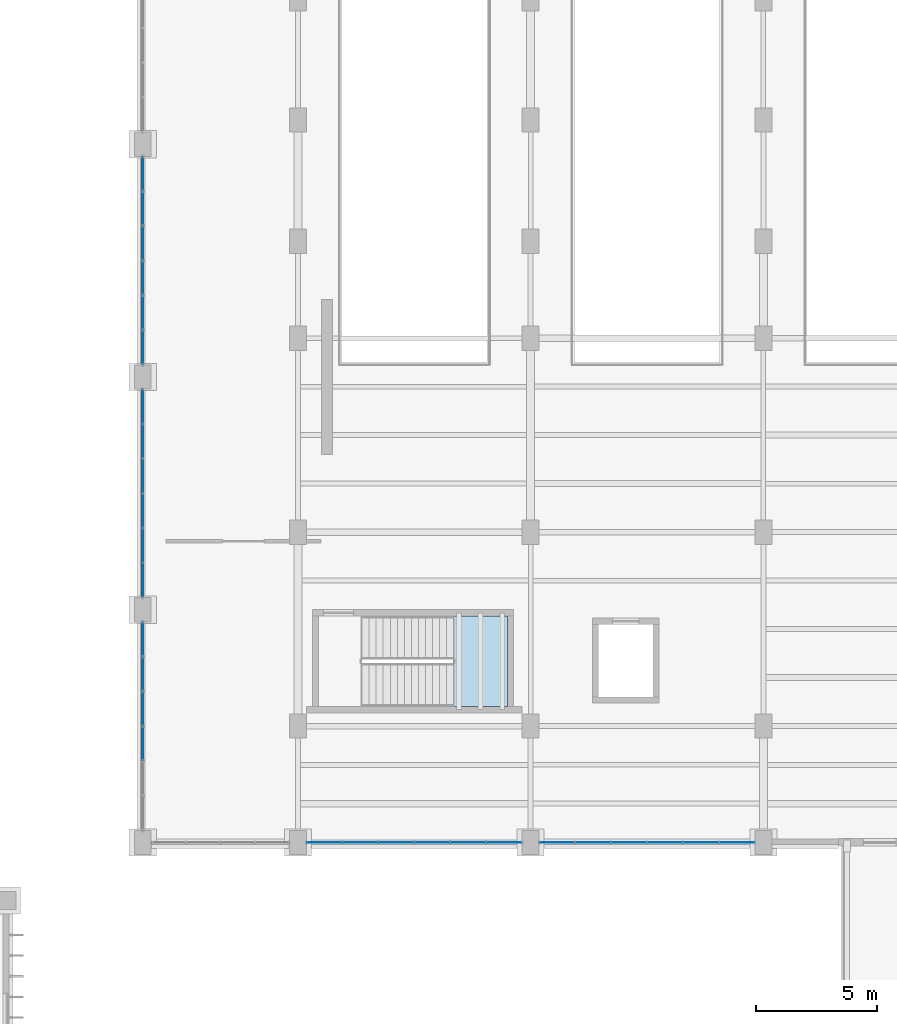
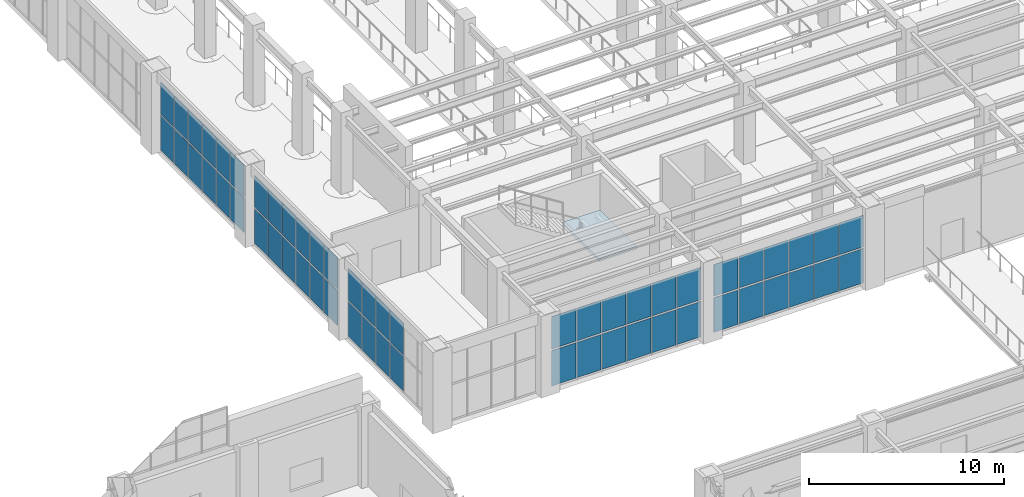
# One storey, part 129 of 174: 56 plates, 1 slab, 6 elements without a shape of their own.
"""IFC4 building model written with IfcOpenShell, lengths in metres."""

from ifc_helpers import new_model, si_unit, direction, frame, origin, origin_2d, place, context, subcontext, project, spatial, polyline, rectangle, outline, extrude, material, layer, layer_set, type_object, element, aggregate, save


model = new_model("IFC4")

# Units and contexts
model_context = context("Model", 3, precision=1e-05, world=origin(), true_north=direction((0.0, 1.0)))
body_context = subcontext(model_context, "Body", "Model", "MODEL_VIEW")
ifc_project = project(units=[si_unit("LENGTHUNIT", "METRE"), si_unit("AREAUNIT", "SQUARE_METRE"), si_unit("VOLUMEUNIT", "CUBIC_METRE"), si_unit("PLANEANGLEUNIT", "RADIAN"), si_unit("MASSUNIT", "GRAM", prefix="KILO")], contexts=[model_context])

# Site, building, storey
site_placement = place(None, origin())
site = spatial("IfcSite", under=ifc_project, at=site_placement, CompositionType="ELEMENT")
building_placement = place(site_placement, origin())
building = spatial("IfcBuilding", under=site, at=building_placement, Name="Mavantir Sound Aquarium", CompositionType="ELEMENT")
storey_placement = place(building_placement, frame((0.0, 0.0, 5.39990234375)))
storey = spatial("IfcBuildingStorey", under=building, at=storey_placement, Name="L01", CompositionType="ELEMENT", Elevation=5.39990234375)

# Curtain wall, plates
ifc_material_1 = material(Name="Anodised Marine Aluminium and Low-E Glass", Category="aluminium")
curtain_wall_type_1 = type_object("IfcCurtainWallType", Name="CW-T23", PredefinedType="USERDEFINED", material=ifc_material_1)
curtain_wall_1_placement = place(storey_placement, origin())
curtain_wall_1 = element("IfcCurtainWall", 1, at=curtain_wall_1_placement, inside=storey, type_object=curtain_wall_type_1, Name="L01 unitised curtain wall CW-23 95", ObjectType="UNITISED GLAZING", PredefinedType="USERDEFINED")
ifc_material_2 = material(Name="Solar-Control Laminated Low-E Glass", Category="glass")
ifc_layer_1 = layer(ifc_material_2, 0.028076171875, Name="Solar-Control Laminated Low-E Glass")
ifc_layer_set_1 = layer_set([ifc_layer_1], Name="Solar-Control Laminated Low-E Glass")
plate_type_1 = type_object("IfcPlateType", Name="CW-PNL-28", PredefinedType="CURTAIN_PANEL", material=ifc_layer_set_1)
plate_1_placement = place(storey_placement, frame((101.60009765625, 53.976806640625, 0.10302734375), z_axis=(0.0, 0.0, 1.0), x_axis=(0.0, -1.0, 0.0)))
plate_1 = element("IfcPlate", 2, at=plate_1_placement, type_object=plate_type_1, Name="CW-L01-095 glazed curtain panel 1.1", PredefinedType="CURTAIN_PANEL", context=body_context, shape_type="SweptSolid", body=[
    extrude(rectangle(XDim=1.3828125, YDim=0.028076171875, at=origin_2d()), origin(), (0.0, 0.0, 1.0), 2.160888671875),
])
plate_2_placement = place(storey_placement, frame((101.60009765625, 53.976806640625, 2.35986328125), z_axis=(0.0, 0.0, 1.0), x_axis=(0.0, -1.0, 0.0)))
plate_2 = element("IfcPlate", 3, at=plate_2_placement, type_object=plate_type_1, Name="CW-L01-095 glazed curtain panel 1.2", PredefinedType="CURTAIN_PANEL", context=body_context, shape_type="SweptSolid", body=[
    extrude(rectangle(XDim=1.3828125, YDim=0.028076171875, at=origin_2d()), origin(), (0.0, 0.0, 1.0), 1.983154296875),
])
plate_3_placement = place(storey_placement, frame((101.60009765625, 52.5458984375, 0.10302734375), z_axis=(0.0, 0.0, 1.0), x_axis=(0.0, -1.0, 0.0)))
plate_3 = element("IfcPlate", 4, at=plate_3_placement, type_object=plate_type_1, Name="CW-L01-095 glazed curtain panel 2.1", PredefinedType="CURTAIN_PANEL", context=body_context, shape_type="SweptSolid", body=[
    extrude(rectangle(XDim=1.3828125, YDim=0.028076171875, at=origin_2d()), origin(), (0.0, 0.0, 1.0), 2.160888671875),
])
plate_4_placement = place(storey_placement, frame((101.60009765625, 52.5458984375, 2.35986328125), z_axis=(0.0, 0.0, 1.0), x_axis=(0.0, -1.0, 0.0)))
plate_4 = element("IfcPlate", 5, at=plate_4_placement, type_object=plate_type_1, Name="CW-L01-095 glazed curtain panel 2.2", PredefinedType="CURTAIN_PANEL", context=body_context, shape_type="SweptSolid", body=[
    extrude(rectangle(XDim=1.3828125, YDim=0.028076171875, at=origin_2d()), origin(), (0.0, 0.0, 1.0), 1.983154296875),
])
plate_5_placement = place(storey_placement, frame((101.60009765625, 51.115234375, 0.10302734375), z_axis=(0.0, 0.0, 1.0), x_axis=(0.0, -1.0, 0.0)))
plate_5 = element("IfcPlate", 6, at=plate_5_placement, type_object=plate_type_1, Name="CW-L01-095 glazed curtain panel 3.1", PredefinedType="CURTAIN_PANEL", context=body_context, shape_type="SweptSolid", body=[
    extrude(rectangle(XDim=1.3828125, YDim=0.028076171875, at=origin_2d()), origin(), (0.0, 0.0, 1.0), 2.160888671875),
])
plate_6_placement = place(storey_placement, frame((101.60009765625, 51.115234375, 2.35986328125), z_axis=(0.0, 0.0, 1.0), x_axis=(0.0, -1.0, 0.0)))
plate_6 = element("IfcPlate", 7, at=plate_6_placement, type_object=plate_type_1, Name="CW-L01-095 glazed curtain panel 3.2", PredefinedType="CURTAIN_PANEL", context=body_context, shape_type="SweptSolid", body=[
    extrude(rectangle(XDim=1.3828125, YDim=0.028076171875, at=origin_2d()), origin(), (0.0, 0.0, 1.0), 1.983154296875),
])
plate_7_placement = place(storey_placement, frame((101.60009765625, 49.684814453125, 0.10302734375), z_axis=(0.0, 0.0, 1.0), x_axis=(0.0, -1.0, 0.0)))
plate_7 = element("IfcPlate", 8, at=plate_7_placement, type_object=plate_type_1, Name="CW-L01-095 glazed curtain panel 4.1", PredefinedType="CURTAIN_PANEL", context=body_context, shape_type="SweptSolid", body=[
    extrude(rectangle(XDim=1.3828125, YDim=0.028076171875, at=origin_2d()), origin(), (0.0, 0.0, 1.0), 2.160888671875),
])
plate_8_placement = place(storey_placement, frame((101.60009765625, 49.684814453125, 2.35986328125), z_axis=(0.0, 0.0, 1.0), x_axis=(0.0, -1.0, 0.0)))
plate_8 = element("IfcPlate", 9, at=plate_8_placement, type_object=plate_type_1, Name="CW-L01-095 glazed curtain panel 4.2", PredefinedType="CURTAIN_PANEL", context=body_context, shape_type="SweptSolid", body=[
    extrude(rectangle(XDim=1.3828125, YDim=0.028076171875, at=origin_2d()), origin(), (0.0, 0.0, 1.0), 1.983154296875),
])
plate_9_placement = place(storey_placement, frame((101.60009765625, 48.25390625, 0.10302734375), z_axis=(0.0, 0.0, 1.0), x_axis=(0.0, -1.0, 0.0)))
plate_9 = element("IfcPlate", 10, at=plate_9_placement, type_object=plate_type_1, Name="CW-L01-095 glazed curtain panel 5.1", PredefinedType="CURTAIN_PANEL", context=body_context, shape_type="SweptSolid", body=[
    extrude(rectangle(XDim=1.3828125, YDim=0.028076171875, at=origin_2d()), origin(), (0.0, 0.0, 1.0), 2.160888671875),
])
plate_10_placement = place(storey_placement, frame((101.60009765625, 48.25390625, 2.35986328125), z_axis=(0.0, 0.0, 1.0), x_axis=(0.0, -1.0, 0.0)))
plate_10 = element("IfcPlate", 11, at=plate_10_placement, type_object=plate_type_1, Name="CW-L01-095 glazed curtain panel 5.2", PredefinedType="CURTAIN_PANEL", context=body_context, shape_type="SweptSolid", body=[
    extrude(rectangle(XDim=1.3828125, YDim=0.028076171875, at=origin_2d()), origin(), (0.0, 0.0, 1.0), 1.983154296875),
])
plate_11_placement = place(storey_placement, frame((101.60009765625, 46.8232421875, 0.10302734375), z_axis=(0.0, 0.0, 1.0), x_axis=(0.0, -1.0, 0.0)))
plate_11 = element("IfcPlate", 12, at=plate_11_placement, type_object=plate_type_1, Name="CW-L01-095 glazed curtain panel 6.1", PredefinedType="CURTAIN_PANEL", context=body_context, shape_type="SweptSolid", body=[
    extrude(rectangle(XDim=1.3828125, YDim=0.028076171875, at=origin_2d()), origin(), (0.0, 0.0, 1.0), 2.160888671875),
])
plate_12_placement = place(storey_placement, frame((101.60009765625, 46.8232421875, 2.35986328125), z_axis=(0.0, 0.0, 1.0), x_axis=(0.0, -1.0, 0.0)))
plate_12 = element("IfcPlate", 13, at=plate_12_placement, type_object=plate_type_1, Name="CW-L01-095 glazed curtain panel 6.2", PredefinedType="CURTAIN_PANEL", context=body_context, shape_type="SweptSolid", body=[
    extrude(rectangle(XDim=1.3828125, YDim=0.028076171875, at=origin_2d()), origin(), (0.0, 0.0, 1.0), 1.983154296875),
])
aggregate(curtain_wall_1, [plate_1, plate_2, plate_3, plate_4, plate_5, plate_6, plate_7, plate_8, plate_9, plate_10, plate_11, plate_12])

curtain_wall_type_2 = type_object("IfcCurtainWallType", Name="CW-T03", PredefinedType="USERDEFINED", material=ifc_material_1)
curtain_wall_2_placement = place(storey_placement, origin())
curtain_wall_2 = element("IfcCurtainWall", 14, at=curtain_wall_2_placement, inside=storey, type_object=curtain_wall_type_2, Name="L01 unitised curtain wall CW-03 99", ObjectType="UNITISED GLAZING", PredefinedType="USERDEFINED")
plate_13_placement = place(storey_placement, frame((118.6982421875, 36.0, 0.10302734375), z_axis=(0.0, 0.0, 1.0), x_axis=(1.0, 0.0, 0.0)))
plate_13 = element("IfcPlate", 15, at=plate_13_placement, type_object=plate_type_1, Name="CW-L01-099 glazed curtain panel 1.1", PredefinedType="CURTAIN_PANEL", context=body_context, shape_type="SweptSolid", body=[
    extrude(rectangle(XDim=1.4326171875, YDim=0.028076171875, at=origin_2d()), origin(), (0.0, 0.0, 1.0), 2.15673828125),
])
plate_14_placement = place(storey_placement, frame((118.6982421875, 36.0, 2.35595703125), z_axis=(0.0, 0.0, 1.0), x_axis=(1.0, 0.0, 0.0)))
plate_14 = element("IfcPlate", 16, at=plate_14_placement, type_object=plate_type_1, Name="CW-L01-099 glazed curtain panel 1.2", PredefinedType="CURTAIN_PANEL", context=body_context, shape_type="SweptSolid", body=[
    extrude(rectangle(XDim=1.4326171875, YDim=0.028076171875, at=origin_2d()), origin(), (0.0, 0.0, 1.0), 1.979248046875),
])
plate_15_placement = place(storey_placement, frame((120.178955078125, 36.0, 0.10302734375), z_axis=(0.0, 0.0, 1.0), x_axis=(1.0, 0.0, 0.0)))
plate_15 = element("IfcPlate", 17, at=plate_15_placement, type_object=plate_type_1, Name="CW-L01-099 glazed curtain panel 2.1", PredefinedType="CURTAIN_PANEL", context=body_context, shape_type="SweptSolid", body=[
    extrude(rectangle(XDim=1.4326171875, YDim=0.028076171875, at=origin_2d()), origin(), (0.0, 0.0, 1.0), 2.15673828125),
])
plate_16_placement = place(storey_placement, frame((120.178955078125, 36.0, 2.35595703125), z_axis=(0.0, 0.0, 1.0), x_axis=(1.0, 0.0, 0.0)))
plate_16 = element("IfcPlate", 18, at=plate_16_placement, type_object=plate_type_1, Name="CW-L01-099 glazed curtain panel 2.2", PredefinedType="CURTAIN_PANEL", context=body_context, shape_type="SweptSolid", body=[
    extrude(rectangle(XDim=1.4326171875, YDim=0.028076171875, at=origin_2d()), origin(), (0.0, 0.0, 1.0), 1.979248046875),
])
plate_17_placement = place(storey_placement, frame((121.65966796875, 36.0, 0.10302734375), z_axis=(0.0, 0.0, 1.0), x_axis=(1.0, 0.0, 0.0)))
plate_17 = element("IfcPlate", 19, at=plate_17_placement, type_object=plate_type_1, Name="CW-L01-099 glazed curtain panel 3.1", PredefinedType="CURTAIN_PANEL", context=body_context, shape_type="SweptSolid", body=[
    extrude(rectangle(XDim=1.4326171875, YDim=0.028076171875, at=origin_2d()), origin(), (0.0, 0.0, 1.0), 2.15673828125),
])
plate_18_placement = place(storey_placement, frame((121.65966796875, 36.0, 2.35595703125), z_axis=(0.0, 0.0, 1.0), x_axis=(1.0, 0.0, 0.0)))
plate_18 = element("IfcPlate", 20, at=plate_18_placement, type_object=plate_type_1, Name="CW-L01-099 glazed curtain panel 3.2", PredefinedType="CURTAIN_PANEL", context=body_context, shape_type="SweptSolid", body=[
    extrude(rectangle(XDim=1.4326171875, YDim=0.028076171875, at=origin_2d()), origin(), (0.0, 0.0, 1.0), 1.979248046875),
])
plate_19_placement = place(storey_placement, frame((123.140380859375, 36.0, 0.10302734375), z_axis=(0.0, 0.0, 1.0), x_axis=(1.0, 0.0, 0.0)))
plate_19 = element("IfcPlate", 21, at=plate_19_placement, type_object=plate_type_1, Name="CW-L01-099 glazed curtain panel 4.1", PredefinedType="CURTAIN_PANEL", context=body_context, shape_type="SweptSolid", body=[
    extrude(rectangle(XDim=1.4326171875, YDim=0.028076171875, at=origin_2d()), origin(), (0.0, 0.0, 1.0), 2.15673828125),
])
plate_20_placement = place(storey_placement, frame((123.140380859375, 36.0, 2.35595703125), z_axis=(0.0, 0.0, 1.0), x_axis=(1.0, 0.0, 0.0)))
plate_20 = element("IfcPlate", 22, at=plate_20_placement, type_object=plate_type_1, Name="CW-L01-099 glazed curtain panel 4.2", PredefinedType="CURTAIN_PANEL", context=body_context, shape_type="SweptSolid", body=[
    extrude(rectangle(XDim=1.4326171875, YDim=0.028076171875, at=origin_2d()), origin(), (0.0, 0.0, 1.0), 1.979248046875),
])
plate_21_placement = place(storey_placement, frame((124.62109375, 36.0, 0.10302734375), z_axis=(0.0, 0.0, 1.0), x_axis=(1.0, 0.0, 0.0)))
plate_21 = element("IfcPlate", 23, at=plate_21_placement, type_object=plate_type_1, Name="CW-L01-099 glazed curtain panel 5.1", PredefinedType="CURTAIN_PANEL", context=body_context, shape_type="SweptSolid", body=[
    extrude(rectangle(XDim=1.4326171875, YDim=0.028076171875, at=origin_2d()), origin(), (0.0, 0.0, 1.0), 2.15673828125),
])
plate_22_placement = place(storey_placement, frame((124.62109375, 36.0, 2.35595703125), z_axis=(0.0, 0.0, 1.0), x_axis=(1.0, 0.0, 0.0)))
plate_22 = element("IfcPlate", 24, at=plate_22_placement, type_object=plate_type_1, Name="CW-L01-099 glazed curtain panel 5.2", PredefinedType="CURTAIN_PANEL", context=body_context, shape_type="SweptSolid", body=[
    extrude(rectangle(XDim=1.4326171875, YDim=0.028076171875, at=origin_2d()), origin(), (0.0, 0.0, 1.0), 1.979248046875),
])
plate_23_placement = place(storey_placement, frame((126.101806640625, 36.0, 0.10302734375), z_axis=(0.0, 0.0, 1.0), x_axis=(1.0, 0.0, 0.0)))
plate_23 = element("IfcPlate", 25, at=plate_23_placement, type_object=plate_type_1, Name="CW-L01-099 glazed curtain panel 6.1", PredefinedType="CURTAIN_PANEL", context=body_context, shape_type="SweptSolid", body=[
    extrude(rectangle(XDim=1.4326171875, YDim=0.028076171875, at=origin_2d()), origin(), (0.0, 0.0, 1.0), 2.15673828125),
])
plate_24_placement = place(storey_placement, frame((126.101806640625, 36.0, 2.35595703125), z_axis=(0.0, 0.0, 1.0), x_axis=(1.0, 0.0, 0.0)))
plate_24 = element("IfcPlate", 26, at=plate_24_placement, type_object=plate_type_1, Name="CW-L01-099 glazed curtain panel 6.2", PredefinedType="CURTAIN_PANEL", context=body_context, shape_type="SweptSolid", body=[
    extrude(rectangle(XDim=1.4326171875, YDim=0.028076171875, at=origin_2d()), origin(), (0.0, 0.0, 1.0), 1.979248046875),
])
aggregate(curtain_wall_2, [plate_13, plate_14, plate_15, plate_16, plate_17, plate_18, plate_19, plate_20, plate_21, plate_22, plate_23, plate_24])

curtain_wall_type_3 = type_object("IfcCurtainWallType", Name="CW-T22", PredefinedType="USERDEFINED", material=ifc_material_1)
curtain_wall_3_placement = place(storey_placement, origin())
curtain_wall_3 = element("IfcCurtainWall", 27, at=curtain_wall_3_placement, inside=storey, type_object=curtain_wall_type_3, Name="L01 unitised curtain wall CW-22 94", ObjectType="UNITISED GLAZING", PredefinedType="USERDEFINED")
ifc_layer_2 = layer(ifc_material_2, 0.031982421875, Name="Solar-Control Laminated Low-E Glass")
ifc_layer_set_2 = layer_set([ifc_layer_2], Name="Solar-Control Laminated Low-E Glass")
plate_type_2 = type_object("IfcPlateType", Name="CW-PNL-32", PredefinedType="CURTAIN_PANEL", material=ifc_layer_set_2)
plate_25_placement = place(storey_placement, frame((101.60009765625, 63.57666015625, 0.10302734375), z_axis=(0.0, 0.0, 1.0), x_axis=(0.0, -1.0, 0.0)))
plate_25 = element("IfcPlate", 28, at=plate_25_placement, type_object=plate_type_2, Name="CW-L01-094 glazed curtain panel 1.1", PredefinedType="CURTAIN_PANEL", context=body_context, shape_type="SweptSolid", body=[
    extrude(rectangle(XDim=1.3828125, YDim=0.031982421875, at=origin_2d()), origin(), (0.0, 0.0, 1.0), 2.160888671875),
])
plate_26_placement = place(storey_placement, frame((101.60009765625, 63.57666015625, 2.35986328125), z_axis=(0.0, 0.0, 1.0), x_axis=(0.0, -1.0, 0.0)))
plate_26 = element("IfcPlate", 29, at=plate_26_placement, type_object=plate_type_2, Name="CW-L01-094 glazed curtain panel 1.2", PredefinedType="CURTAIN_PANEL", context=body_context, shape_type="SweptSolid", body=[
    extrude(rectangle(XDim=1.3828125, YDim=0.031982421875, at=origin_2d()), origin(), (0.0, 0.0, 1.0), 1.983154296875),
])
plate_27_placement = place(storey_placement, frame((101.60009765625, 62.14599609375, 0.10302734375), z_axis=(0.0, 0.0, 1.0), x_axis=(0.0, -1.0, 0.0)))
plate_27 = element("IfcPlate", 30, at=plate_27_placement, type_object=plate_type_2, Name="CW-L01-094 glazed curtain panel 2.1", PredefinedType="CURTAIN_PANEL", context=body_context, shape_type="SweptSolid", body=[
    extrude(rectangle(XDim=1.3828125, YDim=0.031982421875, at=origin_2d()), origin(), (0.0, 0.0, 1.0), 2.160888671875),
])
plate_28_placement = place(storey_placement, frame((101.60009765625, 62.14599609375, 2.35986328125), z_axis=(0.0, 0.0, 1.0), x_axis=(0.0, -1.0, 0.0)))
plate_28 = element("IfcPlate", 31, at=plate_28_placement, type_object=plate_type_2, Name="CW-L01-094 glazed curtain panel 2.2", PredefinedType="CURTAIN_PANEL", context=body_context, shape_type="SweptSolid", body=[
    extrude(rectangle(XDim=1.3828125, YDim=0.031982421875, at=origin_2d()), origin(), (0.0, 0.0, 1.0), 1.983154296875),
])
plate_29_placement = place(storey_placement, frame((101.60009765625, 60.71533203125, 0.10302734375), z_axis=(0.0, 0.0, 1.0), x_axis=(0.0, -1.0, 0.0)))
plate_29 = element("IfcPlate", 32, at=plate_29_placement, type_object=plate_type_2, Name="CW-L01-094 glazed curtain panel 3.1", PredefinedType="CURTAIN_PANEL", context=body_context, shape_type="SweptSolid", body=[
    extrude(rectangle(XDim=1.3828125, YDim=0.031982421875, at=origin_2d()), origin(), (0.0, 0.0, 1.0), 2.160888671875),
])
plate_30_placement = place(storey_placement, frame((101.60009765625, 60.71533203125, 2.35986328125), z_axis=(0.0, 0.0, 1.0), x_axis=(0.0, -1.0, 0.0)))
plate_30 = element("IfcPlate", 33, at=plate_30_placement, type_object=plate_type_2, Name="CW-L01-094 glazed curtain panel 3.2", PredefinedType="CURTAIN_PANEL", context=body_context, shape_type="SweptSolid", body=[
    extrude(rectangle(XDim=1.3828125, YDim=0.031982421875, at=origin_2d()), origin(), (0.0, 0.0, 1.0), 1.983154296875),
])
plate_31_placement = place(storey_placement, frame((101.60009765625, 59.28466796875, 0.10302734375), z_axis=(0.0, 0.0, 1.0), x_axis=(0.0, -1.0, 0.0)))
plate_31 = element("IfcPlate", 34, at=plate_31_placement, type_object=plate_type_2, Name="CW-L01-094 glazed curtain panel 4.1", PredefinedType="CURTAIN_PANEL", context=body_context, shape_type="SweptSolid", body=[
    extrude(rectangle(XDim=1.3828125, YDim=0.031982421875, at=origin_2d()), origin(), (0.0, 0.0, 1.0), 2.160888671875),
])
plate_32_placement = place(storey_placement, frame((101.60009765625, 59.28466796875, 2.35986328125), z_axis=(0.0, 0.0, 1.0), x_axis=(0.0, -1.0, 0.0)))
plate_32 = element("IfcPlate", 35, at=plate_32_placement, type_object=plate_type_2, Name="CW-L01-094 glazed curtain panel 4.2", PredefinedType="CURTAIN_PANEL", context=body_context, shape_type="SweptSolid", body=[
    extrude(rectangle(XDim=1.3828125, YDim=0.031982421875, at=origin_2d()), origin(), (0.0, 0.0, 1.0), 1.983154296875),
])
plate_33_placement = place(storey_placement, frame((101.60009765625, 57.85400390625, 0.10302734375), z_axis=(0.0, 0.0, 1.0), x_axis=(0.0, -1.0, 0.0)))
plate_33 = element("IfcPlate", 36, at=plate_33_placement, type_object=plate_type_2, Name="CW-L01-094 glazed curtain panel 5.1", PredefinedType="CURTAIN_PANEL", context=body_context, shape_type="SweptSolid", body=[
    extrude(rectangle(XDim=1.3828125, YDim=0.031982421875, at=origin_2d()), origin(), (0.0, 0.0, 1.0), 2.160888671875),
])
plate_34_placement = place(storey_placement, frame((101.60009765625, 57.85400390625, 2.35986328125), z_axis=(0.0, 0.0, 1.0), x_axis=(0.0, -1.0, 0.0)))
plate_34 = element("IfcPlate", 37, at=plate_34_placement, type_object=plate_type_2, Name="CW-L01-094 glazed curtain panel 5.2", PredefinedType="CURTAIN_PANEL", context=body_context, shape_type="SweptSolid", body=[
    extrude(rectangle(XDim=1.3828125, YDim=0.031982421875, at=origin_2d()), origin(), (0.0, 0.0, 1.0), 1.983154296875),
])
plate_35_placement = place(storey_placement, frame((101.60009765625, 56.42333984375, 0.10302734375), z_axis=(0.0, 0.0, 1.0), x_axis=(0.0, -1.0, 0.0)))
plate_35 = element("IfcPlate", 38, at=plate_35_placement, type_object=plate_type_2, Name="CW-L01-094 glazed curtain panel 6.1", PredefinedType="CURTAIN_PANEL", context=body_context, shape_type="SweptSolid", body=[
    extrude(rectangle(XDim=1.3828125, YDim=0.031982421875, at=origin_2d()), origin(), (0.0, 0.0, 1.0), 2.160888671875),
])
plate_36_placement = place(storey_placement, frame((101.60009765625, 56.42333984375, 2.35986328125), z_axis=(0.0, 0.0, 1.0), x_axis=(0.0, -1.0, 0.0)))
plate_36 = element("IfcPlate", 39, at=plate_36_placement, type_object=plate_type_2, Name="CW-L01-094 glazed curtain panel 6.2", PredefinedType="CURTAIN_PANEL", context=body_context, shape_type="SweptSolid", body=[
    extrude(rectangle(XDim=1.3828125, YDim=0.031982421875, at=origin_2d()), origin(), (0.0, 0.0, 1.0), 1.983154296875),
])
aggregate(curtain_wall_3, [plate_25, plate_26, plate_27, plate_28, plate_29, plate_30, plate_31, plate_32, plate_33, plate_34, plate_35, plate_36])

curtain_wall_type_4 = type_object("IfcCurtainWallType", Name="CW-T24", PredefinedType="USERDEFINED", material=ifc_material_1)
curtain_wall_4_placement = place(storey_placement, origin())
curtain_wall_4 = element("IfcCurtainWall", 40, at=curtain_wall_4_placement, inside=storey, type_object=curtain_wall_type_4, Name="L01 unitised curtain wall CW-24 96", ObjectType="UNITISED GLAZING", PredefinedType="USERDEFINED")
plate_37_placement = place(storey_placement, frame((101.60009765625, 44.376708984375, 0.10302734375), z_axis=(0.0, 0.0, 1.0), x_axis=(0.0, -1.0, 0.0)))
plate_37 = element("IfcPlate", 41, at=plate_37_placement, type_object=plate_type_2, Name="CW-L01-096 glazed curtain panel 1.1", PredefinedType="CURTAIN_PANEL", context=body_context, shape_type="SweptSolid", body=[
    extrude(rectangle(XDim=1.3828125, YDim=0.031982421875, at=origin_2d()), origin(), (0.0, 0.0, 1.0), 2.160888671875),
])
plate_38_placement = place(storey_placement, frame((101.60009765625, 44.376708984375, 2.35986328125), z_axis=(0.0, 0.0, 1.0), x_axis=(0.0, -1.0, 0.0)))
plate_38 = element("IfcPlate", 42, at=plate_38_placement, type_object=plate_type_2, Name="CW-L01-096 glazed curtain panel 1.2", PredefinedType="CURTAIN_PANEL", context=body_context, shape_type="SweptSolid", body=[
    extrude(rectangle(XDim=1.3828125, YDim=0.031982421875, at=origin_2d()), origin(), (0.0, 0.0, 1.0), 1.983154296875),
])
plate_39_placement = place(storey_placement, frame((101.60009765625, 42.946044921875, 0.10302734375), z_axis=(0.0, 0.0, 1.0), x_axis=(0.0, -1.0, 0.0)))
plate_39 = element("IfcPlate", 43, at=plate_39_placement, type_object=plate_type_2, Name="CW-L01-096 glazed curtain panel 2.1", PredefinedType="CURTAIN_PANEL", context=body_context, shape_type="SweptSolid", body=[
    extrude(rectangle(XDim=1.3828125, YDim=0.031982421875, at=origin_2d()), origin(), (0.0, 0.0, 1.0), 2.160888671875),
])
plate_40_placement = place(storey_placement, frame((101.60009765625, 42.946044921875, 2.35986328125), z_axis=(0.0, 0.0, 1.0), x_axis=(0.0, -1.0, 0.0)))
plate_40 = element("IfcPlate", 44, at=plate_40_placement, type_object=plate_type_2, Name="CW-L01-096 glazed curtain panel 2.2", PredefinedType="CURTAIN_PANEL", context=body_context, shape_type="SweptSolid", body=[
    extrude(rectangle(XDim=1.3828125, YDim=0.031982421875, at=origin_2d()), origin(), (0.0, 0.0, 1.0), 1.983154296875),
])
plate_41_placement = place(storey_placement, frame((101.60009765625, 41.515380859375, 0.10302734375), z_axis=(0.0, 0.0, 1.0), x_axis=(0.0, -1.0, 0.0)))
plate_41 = element("IfcPlate", 45, at=plate_41_placement, type_object=plate_type_2, Name="CW-L01-096 glazed curtain panel 3.1", PredefinedType="CURTAIN_PANEL", context=body_context, shape_type="SweptSolid", body=[
    extrude(rectangle(XDim=1.3828125, YDim=0.031982421875, at=origin_2d()), origin(), (0.0, 0.0, 1.0), 2.160888671875),
])
plate_42_placement = place(storey_placement, frame((101.60009765625, 41.515380859375, 2.35986328125), z_axis=(0.0, 0.0, 1.0), x_axis=(0.0, -1.0, 0.0)))
plate_42 = element("IfcPlate", 46, at=plate_42_placement, type_object=plate_type_2, Name="CW-L01-096 glazed curtain panel 3.2", PredefinedType="CURTAIN_PANEL", context=body_context, shape_type="SweptSolid", body=[
    extrude(rectangle(XDim=1.3828125, YDim=0.031982421875, at=origin_2d()), origin(), (0.0, 0.0, 1.0), 1.983154296875),
])
plate_43_placement = place(storey_placement, frame((101.60009765625, 40.084716796875, 0.10302734375), z_axis=(0.0, 0.0, 1.0), x_axis=(0.0, -1.0, 0.0)))
plate_43 = element("IfcPlate", 47, at=plate_43_placement, type_object=plate_type_2, Name="CW-L01-096 glazed curtain panel 4.1", PredefinedType="CURTAIN_PANEL", context=body_context, shape_type="SweptSolid", body=[
    extrude(rectangle(XDim=1.3828125, YDim=0.031982421875, at=origin_2d()), origin(), (0.0, 0.0, 1.0), 2.160888671875),
])
plate_44_placement = place(storey_placement, frame((101.60009765625, 40.084716796875, 2.35986328125), z_axis=(0.0, 0.0, 1.0), x_axis=(0.0, -1.0, 0.0)))
plate_44 = element("IfcPlate", 48, at=plate_44_placement, type_object=plate_type_2, Name="CW-L01-096 glazed curtain panel 4.2", PredefinedType="CURTAIN_PANEL", context=body_context, shape_type="SweptSolid", body=[
    extrude(rectangle(XDim=1.3828125, YDim=0.031982421875, at=origin_2d()), origin(), (0.0, 0.0, 1.0), 1.983154296875),
])
aggregate(curtain_wall_4, [plate_37, plate_38, plate_39, plate_40, plate_41, plate_42, plate_43, plate_44])

curtain_wall_type_5 = type_object("IfcCurtainWallType", Name="CW-T02", PredefinedType="USERDEFINED", material=ifc_material_1)
curtain_wall_5_placement = place(storey_placement, origin())
curtain_wall_5 = element("IfcCurtainWall", 49, at=curtain_wall_5_placement, inside=storey, type_object=curtain_wall_type_5, Name="L01 unitised curtain wall CW-02 98", ObjectType="UNITISED GLAZING", PredefinedType="USERDEFINED")
plate_45_placement = place(storey_placement, frame((109.098388671875, 36.0, 0.10302734375), z_axis=(0.0, 0.0, 1.0), x_axis=(1.0, 0.0, 0.0)))
plate_45 = element("IfcPlate", 50, at=plate_45_placement, type_object=plate_type_2, Name="CW-L01-098 glazed curtain panel 1.1", PredefinedType="CURTAIN_PANEL", context=body_context, shape_type="SweptSolid", body=[
    extrude(rectangle(XDim=1.4326171875, YDim=0.031982421875, at=origin_2d()), origin(), (0.0, 0.0, 1.0), 2.21142578125),
])
plate_46_placement = place(storey_placement, frame((109.098388671875, 36.0, 2.41064453125), z_axis=(0.0, 0.0, 1.0), x_axis=(1.0, 0.0, 0.0)))
plate_46 = element("IfcPlate", 51, at=plate_46_placement, type_object=plate_type_2, Name="CW-L01-098 glazed curtain panel 1.2", PredefinedType="CURTAIN_PANEL", context=body_context, shape_type="SweptSolid", body=[
    extrude(rectangle(XDim=1.4326171875, YDim=0.031982421875, at=origin_2d()), origin(), (0.0, 0.0, 1.0), 2.029541015625),
])
plate_47_placement = place(storey_placement, frame((110.5791015625, 36.0, 0.10302734375), z_axis=(0.0, 0.0, 1.0), x_axis=(1.0, 0.0, 0.0)))
plate_47 = element("IfcPlate", 52, at=plate_47_placement, type_object=plate_type_2, Name="CW-L01-098 glazed curtain panel 2.1", PredefinedType="CURTAIN_PANEL", context=body_context, shape_type="SweptSolid", body=[
    extrude(rectangle(XDim=1.4326171875, YDim=0.031982421875, at=origin_2d()), origin(), (0.0, 0.0, 1.0), 2.21142578125),
])
plate_48_placement = place(storey_placement, frame((110.5791015625, 36.0, 2.41064453125), z_axis=(0.0, 0.0, 1.0), x_axis=(1.0, 0.0, 0.0)))
plate_48 = element("IfcPlate", 53, at=plate_48_placement, type_object=plate_type_2, Name="CW-L01-098 glazed curtain panel 2.2", PredefinedType="CURTAIN_PANEL", context=body_context, shape_type="SweptSolid", body=[
    extrude(rectangle(XDim=1.4326171875, YDim=0.031982421875, at=origin_2d()), origin(), (0.0, 0.0, 1.0), 2.029541015625),
])
plate_49_placement = place(storey_placement, frame((112.059814453125, 36.0, 0.10302734375), z_axis=(0.0, 0.0, 1.0), x_axis=(1.0, 0.0, 0.0)))
plate_49 = element("IfcPlate", 54, at=plate_49_placement, type_object=plate_type_2, Name="CW-L01-098 glazed curtain panel 3.1", PredefinedType="CURTAIN_PANEL", context=body_context, shape_type="SweptSolid", body=[
    extrude(rectangle(XDim=1.4326171875, YDim=0.031982421875, at=origin_2d()), origin(), (0.0, 0.0, 1.0), 2.21142578125),
])
plate_50_placement = place(storey_placement, frame((112.059814453125, 36.0, 2.41064453125), z_axis=(0.0, 0.0, 1.0), x_axis=(1.0, 0.0, 0.0)))
plate_50 = element("IfcPlate", 55, at=plate_50_placement, type_object=plate_type_2, Name="CW-L01-098 glazed curtain panel 3.2", PredefinedType="CURTAIN_PANEL", context=body_context, shape_type="SweptSolid", body=[
    extrude(rectangle(XDim=1.4326171875, YDim=0.031982421875, at=origin_2d()), origin(), (0.0, 0.0, 1.0), 2.029541015625),
])
plate_51_placement = place(storey_placement, frame((113.540283203125, 36.0, 0.10302734375), z_axis=(0.0, 0.0, 1.0), x_axis=(1.0, 0.0, 0.0)))
plate_51 = element("IfcPlate", 56, at=plate_51_placement, type_object=plate_type_2, Name="CW-L01-098 glazed curtain panel 4.1", PredefinedType="CURTAIN_PANEL", context=body_context, shape_type="SweptSolid", body=[
    extrude(rectangle(XDim=1.4326171875, YDim=0.031982421875, at=origin_2d()), origin(), (0.0, 0.0, 1.0), 2.21142578125),
])
plate_52_placement = place(storey_placement, frame((113.540283203125, 36.0, 2.41064453125), z_axis=(0.0, 0.0, 1.0), x_axis=(1.0, 0.0, 0.0)))
plate_52 = element("IfcPlate", 57, at=plate_52_placement, type_object=plate_type_2, Name="CW-L01-098 glazed curtain panel 4.2", PredefinedType="CURTAIN_PANEL", context=body_context, shape_type="SweptSolid", body=[
    extrude(rectangle(XDim=1.4326171875, YDim=0.031982421875, at=origin_2d()), origin(), (0.0, 0.0, 1.0), 2.029541015625),
])
plate_53_placement = place(storey_placement, frame((115.02099609375, 36.0, 0.10302734375), z_axis=(0.0, 0.0, 1.0), x_axis=(1.0, 0.0, 0.0)))
plate_53 = element("IfcPlate", 58, at=plate_53_placement, type_object=plate_type_2, Name="CW-L01-098 glazed curtain panel 5.1", PredefinedType="CURTAIN_PANEL", context=body_context, shape_type="SweptSolid", body=[
    extrude(rectangle(XDim=1.4326171875, YDim=0.031982421875, at=origin_2d()), origin(), (0.0, 0.0, 1.0), 2.21142578125),
])
plate_54_placement = place(storey_placement, frame((115.02099609375, 36.0, 2.41064453125), z_axis=(0.0, 0.0, 1.0), x_axis=(1.0, 0.0, 0.0)))
plate_54 = element("IfcPlate", 59, at=plate_54_placement, type_object=plate_type_2, Name="CW-L01-098 glazed curtain panel 5.2", PredefinedType="CURTAIN_PANEL", context=body_context, shape_type="SweptSolid", body=[
    extrude(rectangle(XDim=1.4326171875, YDim=0.031982421875, at=origin_2d()), origin(), (0.0, 0.0, 1.0), 2.029541015625),
])
plate_55_placement = place(storey_placement, frame((116.501708984375, 36.0, 0.10302734375), z_axis=(0.0, 0.0, 1.0), x_axis=(1.0, 0.0, 0.0)))
plate_55 = element("IfcPlate", 60, at=plate_55_placement, type_object=plate_type_2, Name="CW-L01-098 glazed curtain panel 6.1", PredefinedType="CURTAIN_PANEL", context=body_context, shape_type="SweptSolid", body=[
    extrude(rectangle(XDim=1.4326171875, YDim=0.031982421875, at=origin_2d()), origin(), (0.0, 0.0, 1.0), 2.21142578125),
])
plate_56_placement = place(storey_placement, frame((116.501708984375, 36.0, 2.41064453125), z_axis=(0.0, 0.0, 1.0), x_axis=(1.0, 0.0, 0.0)))
plate_56 = element("IfcPlate", 61, at=plate_56_placement, type_object=plate_type_2, Name="CW-L01-098 glazed curtain panel 6.2", PredefinedType="CURTAIN_PANEL", context=body_context, shape_type="SweptSolid", body=[
    extrude(rectangle(XDim=1.4326171875, YDim=0.031982421875, at=origin_2d()), origin(), (0.0, 0.0, 1.0), 2.029541015625),
])
aggregate(curtain_wall_5, [plate_45, plate_46, plate_47, plate_48, plate_49, plate_50, plate_51, plate_52, plate_53, plate_54, plate_55, plate_56])

# Stair, slab
ifc_material_3 = material(Name="Concrete C40/50", Category="concrete")
stair_type = type_object("IfcStairType", Name="STR-1800-5100", PredefinedType="HALF_TURN_STAIR", material=ifc_material_3)
stair_placement = place(storey_placement, origin())
stair = element("IfcStair", 62, at=stair_placement, inside=storey, type_object=stair_type, Name="L01 Protected exit stair ST4", PredefinedType="HALF_TURN_STAIR")
ifc_layer_3 = layer(ifc_material_3, 0.199951171875, Name="Concrete C40/50")
ifc_layer_set_3 = layer_set([ifc_layer_3], Name="Concrete C40/50")
slab_type = type_object("IfcSlabType", Name="SLB-LND-360", PredefinedType="LANDING", material=ifc_layer_set_3)
slab_placement = place(storey_placement, frame((0.0, 0.0, 2.35009765625)))
slab = element("IfcSlab", 63, at=slab_placement, type_object=slab_type, Name="ST4 landing 1", PredefinedType="LANDING", context=body_context, shape_type="SweptSolid", body=[
    extrude(outline(polyline([(114.419921875, 41.60009765625), (116.64990234375, 41.60009765625), (116.64990234375, 45.35009765625), (114.419921875, 45.35009765625), (114.419921875, 41.60009765625)])), origin(), (0.0, 0.0, 1.0), 0.199951171875),
])
aggregate(stair, [slab])

save(model, "model.ifc")
